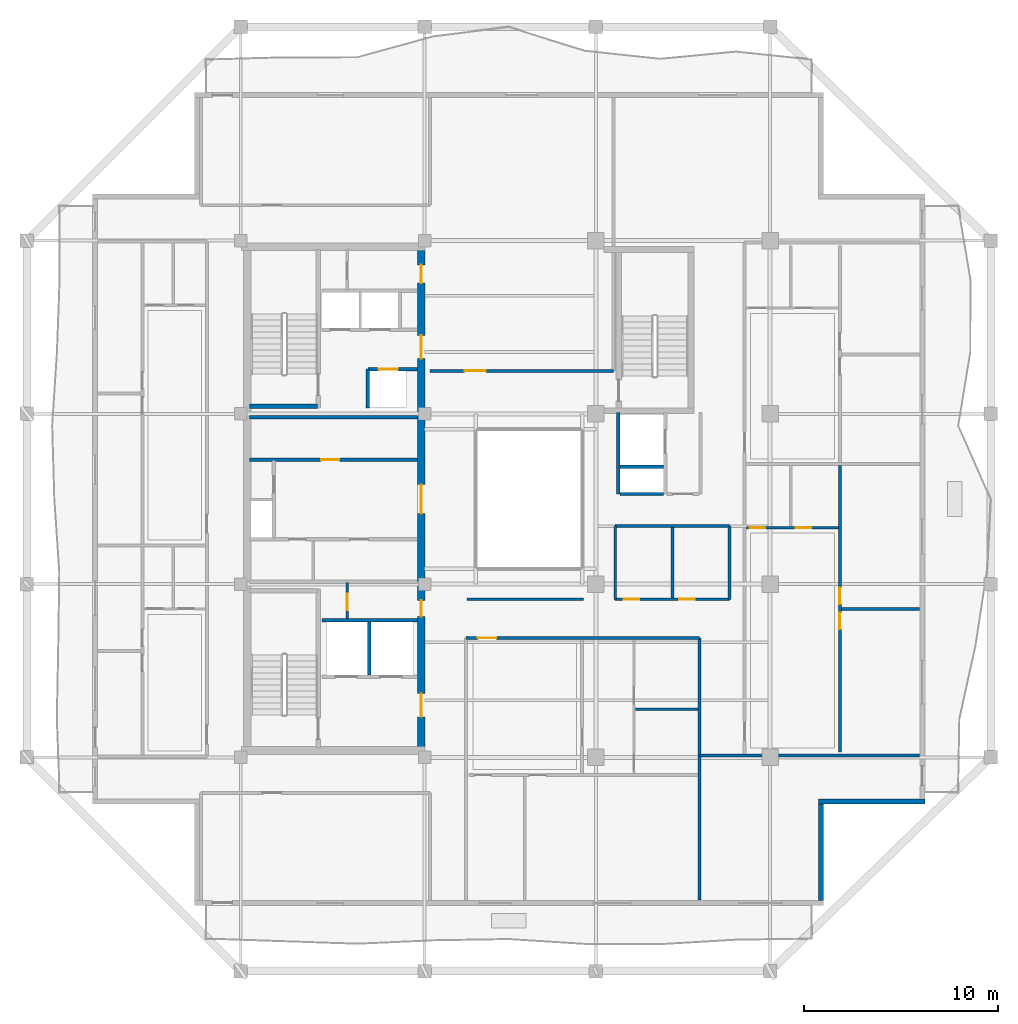
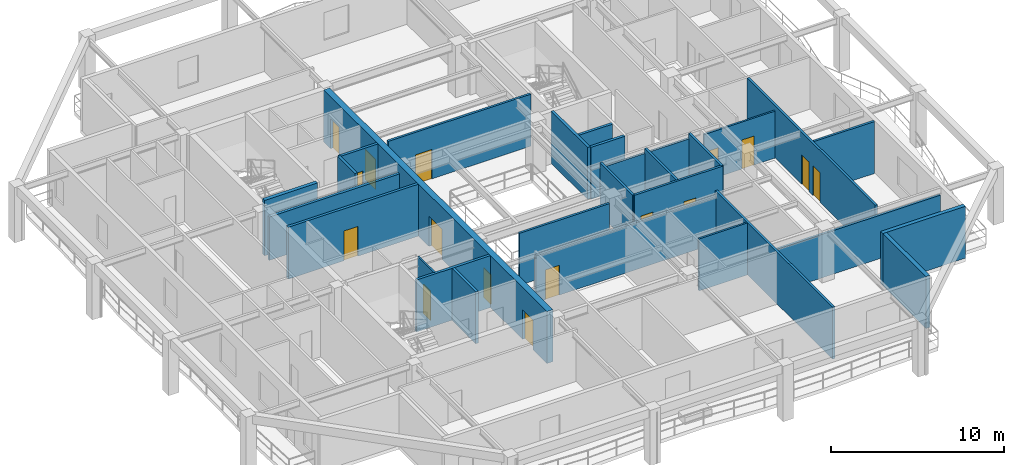
# One storey, part 4 of 12: 28 walls, 16 doors, 16 openings.
"""IFC4 building model written with IfcOpenShell, lengths in metres."""

from ifc_helpers import new_model, si_unit, direction, frame, frame_2d, origin, place, context, subcontext, project, spatial, rectangle, extrude, material, layer, layer_set, type_object, element, fill, save


model = new_model("IFC4")

# Units and contexts
model_context = context("Model", 3, precision=1e-05, world=origin(), true_north=direction((0.0, 1.0)))
body_context = subcontext(model_context, "Body", "Model", "MODEL_VIEW")
ifc_project = project(units=[si_unit("LENGTHUNIT", "METRE"), si_unit("AREAUNIT", "SQUARE_METRE"), si_unit("VOLUMEUNIT", "CUBIC_METRE"), si_unit("PLANEANGLEUNIT", "RADIAN"), si_unit("MASSUNIT", "GRAM", prefix="KILO")], contexts=[model_context])

# Site, building, storey
site_placement = place(None, origin())
site = spatial("IfcSite", under=ifc_project, at=site_placement, CompositionType="ELEMENT")
building_placement = place(site_placement, origin())
building = spatial("IfcBuilding", under=site, at=building_placement, Name="Kundavana Baori Tower", CompositionType="ELEMENT")
storey_placement = place(building_placement, frame((0.0, 0.0, 241.39990234375)))
storey = spatial("IfcBuildingStorey", under=building, at=storey_placement, Name="L59", CompositionType="ELEMENT", Elevation=241.39990234375)

# Wall, openings, doors
ifc_material_1 = material(Name="Concrete C50/60", Category="concrete")
ifc_layer_1 = layer(ifc_material_1, 0.39990234375, Name="WL-CORE-400")
ifc_layer_set_1 = layer_set([ifc_layer_1], Name="Concrete C50/60")
wall_type_1 = type_object("IfcWallType", Name="WL-CORE-400", PredefinedType="SHEAR", material=ifc_layer_set_1)
wall_1_placement = place(storey_placement, frame((24.780029296875, 15.739990234375, 0.0), z_axis=(0.0, 0.0, 1.0), x_axis=(0.0, 1.0, 0.0)))
wall_1 = element("IfcWall", 1, at=wall_1_placement, inside=storey, type_object=wall_type_1, Name="L59 Offset Core East Shear Wall", PredefinedType="SHEAR", context=body_context, shape_type="SweptSolid", body=[
    extrude(rectangle(XDim=25.760009765625, YDim=0.39990234375, at=frame_2d((12.8798828125, 0.0))), origin(), (0.0, 0.0, 1.0), 3.66015625),
])
opening_1_placement = place(wall_1_placement, frame((1.610107421875, 0.0, 0.0)))
opening_1 = element("IfcOpeningElement", 2, at=opening_1_placement, cuts=wall_1, Name="Opening FD-120", PredefinedType="OPENING", context=body_context, shape_type="SweptSolid", body=[
    extrude(rectangle(XDim=1.199951171875, YDim=2.10009765625, at=frame_2d((0.60009765625, 1.050048828125))), frame((0.0, 0.2099609375, 0.0), z_axis=(0.0, -1.0, 0.0), x_axis=(1.0, 0.0, 0.0)), (0.0, 0.0, 1.0), 0.419921875),
])
opening_2_placement = place(wall_1_placement, frame((6.780029296875, 0.0, 0.0)))
opening_2 = element("IfcOpeningElement", 3, at=opening_2_placement, cuts=wall_1, Name="Opening FD-085", PredefinedType="OPENING", context=body_context, shape_type="SweptSolid", body=[
    extrude(rectangle(XDim=0.85009765625, YDim=2.06005859375, at=frame_2d((0.425048828125, 1.030029296875))), frame((0.0, 0.2099609375, 0.0), z_axis=(0.0, -1.0, 0.0), x_axis=(1.0, 0.0, 0.0)), (0.0, 0.0, 1.0), 0.419921875),
])
opening_3_placement = place(wall_1_placement, frame((12.110107421875, 0.0, 0.0)))
opening_3 = element("IfcOpeningElement", 4, at=opening_3_placement, cuts=wall_1, Name="Opening FD-150", PredefinedType="OPENING", context=body_context, shape_type="SweptSolid", body=[
    extrude(rectangle(XDim=1.5, YDim=2.1201171875, at=frame_2d((0.75, 1.06005859375))), frame((0.0, 0.2099609375, 0.0), z_axis=(0.0, -1.0, 0.0), x_axis=(1.0, 0.0, 0.0)), (0.0, 0.0, 1.0), 0.419921875),
])
opening_4_placement = place(wall_1_placement, frame((20.110107421875, 0.0, 0.0)))
opening_4 = element("IfcOpeningElement", 5, at=opening_4_placement, cuts=wall_1, Name="Opening FD-122", PredefinedType="OPENING", context=body_context, shape_type="SweptSolid", body=[
    extrude(rectangle(XDim=1.199951171875, YDim=2.1201171875, at=frame_2d((0.60009765625, 1.06005859375))), frame((0.0, 0.2099609375, 0.0), z_axis=(0.0, -1.0, 0.0), x_axis=(1.0, 0.0, 0.0)), (0.0, 0.0, 1.0), 0.419921875),
])
opening_5_placement = place(wall_1_placement, frame((24.010009765625, 0.0, 0.0)))
opening_5 = element("IfcOpeningElement", 6, at=opening_5_placement, cuts=wall_1, Name="Opening FD-095", PredefinedType="OPENING", context=body_context, shape_type="SweptSolid", body=[
    extrude(rectangle(XDim=0.949951171875, YDim=2.10009765625, at=frame_2d((0.47509765625, 1.050048828125))), frame((0.0, 0.2099609375, 0.0), z_axis=(0.0, -1.0, 0.0), x_axis=(1.0, 0.0, 0.0)), (0.0, 0.0, 1.0), 0.419921875),
])
ifc_material_2 = material(Name="Galvanised Steel Fire-Rated Door Leaf", Category="steel")
door_type_1 = type_object("IfcDoorType", Name="DR-FD120-1200", OperationType="NOTDEFINED", PredefinedType="DOOR", material=ifc_material_2)
door_1_placement = place(opening_1_placement, frame((1.199951171875, 0.0, 0.0), z_axis=(0.0, 0.0, 1.0), x_axis=(-1.0, 0.0, 0.0)))
door_1 = element("IfcDoor", 7, at=door_1_placement, inside=storey, type_object=door_type_1, Name="DR-L59-FFLOB-E", OperationType="SINGLE_SWING_RIGHT", OverallHeight=2.10009765625, OverallWidth=1.199951171875, PredefinedType="DOOR", context=body_context, shape_type="SweptSolid", body=[
    extrude(rectangle(XDim=1.199951171875, YDim=2.10009765625, at=frame_2d((0.60009765625, 1.050048828125))), frame((0.0, 0.02490234375, 0.0), z_axis=(0.0, -1.0, 0.0), x_axis=(1.0, 0.0, 0.0)), (0.0, 0.0, 1.0), 0.050048828125),
])
fill(opening_1, door_1)
ifc_material_3 = material(Name="Galvanised Steel Fire-Rated Door Leaf", Category="steel")
door_type_2 = type_object("IfcDoorType", Name="DR-FD60-1200", OperationType="NOTDEFINED", PredefinedType="DOOR", material=ifc_material_3)
door_2_placement = place(opening_4_placement, frame((1.199951171875, 0.0, 0.0), z_axis=(0.0, 0.0, 1.0), x_axis=(-1.0, 0.0, 0.0)))
door_2 = element("IfcDoor", 8, at=door_2_placement, inside=storey, type_object=door_type_2, Name="DR-L59-HRLOB-E", OperationType="SINGLE_SWING_RIGHT", OverallHeight=2.1201171875, OverallWidth=1.199951171875, PredefinedType="DOOR", context=body_context, shape_type="SweptSolid", body=[
    extrude(rectangle(XDim=1.199951171875, YDim=2.1201171875, at=frame_2d((0.60009765625, 1.06005859375))), frame((0.0, 0.02490234375, 0.0), z_axis=(0.0, -1.0, 0.0), x_axis=(1.0, 0.0, 0.0)), (0.0, 0.0, 1.0), 0.050048828125),
])
fill(opening_4, door_2)
ifc_material_4 = material(Name="Galvanised Steel Fire-Rated Door Leaf", Category="steel")
door_type_3 = type_object("IfcDoorType", Name="DR-FD60-1500", OperationType="NOTDEFINED", PredefinedType="DOOR", material=ifc_material_4)
door_3_placement = place(opening_3_placement, frame((1.5, 0.0, 0.0), z_axis=(0.0, 0.0, 1.0), x_axis=(-1.0, 0.0, 0.0)))
door_3 = element("IfcDoor", 9, at=door_3_placement, inside=storey, type_object=door_type_3, Name="DR-L59-LIFTHALL-E", OperationType="SINGLE_SWING_LEFT", OverallHeight=2.1201171875, OverallWidth=1.5, PredefinedType="DOOR", context=body_context, shape_type="SweptSolid", body=[
    extrude(rectangle(XDim=1.5, YDim=2.1201171875, at=frame_2d((0.75, 1.06005859375))), frame((0.0, 0.02490234375, 0.0), z_axis=(0.0, -1.0, 0.0), x_axis=(1.0, 0.0, 0.0)), (0.0, 0.0, 1.0), 0.050048828125),
])
fill(opening_3, door_3)
ifc_material_5 = material(Name="Galvanised Steel Fire-Rated Door Leaf", Category="steel")
door_type_4 = type_object("IfcDoorType", Name="DR-FD60-850", OperationType="NOTDEFINED", PredefinedType="DOOR", material=ifc_material_5)
door_4_placement = place(opening_2_placement, frame((0.85009765625, 0.0, 0.0), z_axis=(0.0, 0.0, 1.0), x_axis=(-1.0, 0.0, 0.0)))
door_4 = element("IfcDoor", 10, at=door_4_placement, inside=storey, type_object=door_type_4, Name="DR-L59-CSMK2", OperationType="SINGLE_SWING_LEFT", OverallHeight=2.06005859375, OverallWidth=0.85009765625, PredefinedType="DOOR", context=body_context, shape_type="SweptSolid", body=[
    extrude(rectangle(XDim=0.85009765625, YDim=2.06005859375, at=frame_2d((0.425048828125, 1.030029296875))), frame((0.0, 0.02490234375, 0.0), z_axis=(0.0, -1.0, 0.0), x_axis=(1.0, 0.0, 0.0)), (0.0, 0.0, 1.0), 0.050048828125),
])
fill(opening_2, door_4)
ifc_material_6 = material(Name="Engineered Teak Fire-Rated Timber Door Leaf", Category="wood")
door_type_5 = type_object("IfcDoorType", Name="DR-FD60-950", OperationType="NOTDEFINED", PredefinedType="DOOR", material=ifc_material_6)
door_5_placement = place(opening_5_placement, frame((0.949951171875, 0.0, 0.0), z_axis=(0.0, 0.0, 1.0), x_axis=(-1.0, 0.0, 0.0)))
door_5 = element("IfcDoor", 11, at=door_5_placement, inside=storey, type_object=door_type_5, Name="DR-L59-CSRV2", OperationType="SINGLE_SWING_LEFT", OverallHeight=2.10009765625, OverallWidth=0.949951171875, PredefinedType="DOOR", context=body_context, shape_type="SweptSolid", body=[
    extrude(rectangle(XDim=0.949951171875, YDim=2.10009765625, at=frame_2d((0.47509765625, 1.050048828125))), frame((0.0, 0.02490234375, 0.0), z_axis=(0.0, -1.0, 0.0), x_axis=(1.0, 0.0, 0.0)), (0.0, 0.0, 1.0), 0.050048828125),
])
fill(opening_5, door_5)

# Walls
wall_2_placement = place(storey_placement, frame((15.89990234375, 33.389892578125, 0.0), z_axis=(0.0, 0.0, 1.0), x_axis=(1.0, 0.0, 0.0)))
element("IfcWall", 12, at=wall_2_placement, inside=storey, type_object=wall_type_1, Name="WL-L59-ST2-S", PredefinedType="SHEAR", context=body_context, shape_type="SweptSolid", body=[
    extrude(rectangle(XDim=3.52001953125, YDim=0.239990234375, at=frame_2d((1.760009765625, 0.0))), origin(), (0.0, 0.0, 1.0), 3.900146484375),
])
ifc_material_7 = material(Name="Kiln-Fired Terracotta Brick-Slip Masonry on Concrete C40/50", Category="masonry")
ifc_layer_2 = layer(ifc_material_7, 0.260009765625, Name="WL-EXT-BRK-260")
ifc_layer_set_2 = layer_set([ifc_layer_2], Name="Kiln-Fired Terracotta Brick-Slip Masonry on Concrete C40/50")
wall_type_2 = type_object("IfcWallType", Name="WL-EXT-BRK-260", PredefinedType="SOLIDWALL", material=ifc_layer_set_2)
wall_3_placement = place(storey_placement, frame((45.419921875, 7.860107421875, 0.0), z_axis=(0.0, 0.0, 1.0), x_axis=(0.0, 1.0, 0.0)))
element("IfcWall", 13, at=wall_3_placement, inside=storey, type_object=wall_type_2, Name="L59 Exterior Insulated Facade Wall 02", PredefinedType="SOLIDWALL", context=body_context, shape_type="SweptSolid", body=[
    extrude(rectangle(XDim=4.989990234375, YDim=0.260009765625, at=frame_2d((2.4951171875, 0.0))), origin(), (0.0, 0.0, 1.0), 3.66015625),
])
wall_4_placement = place(storey_placement, frame((45.2900390625, 12.97998046875, 0.0), z_axis=(0.0, 0.0, 1.0), x_axis=(1.0, 0.0, 0.0)))
element("IfcWall", 14, at=wall_4_placement, inside=storey, type_object=wall_type_2, Name="L59 Exterior Insulated Facade Wall 03", PredefinedType="SOLIDWALL", context=body_context, shape_type="SweptSolid", body=[
    extrude(rectangle(XDim=5.510009765625, YDim=0.260009765625, at=frame_2d((2.7548828125, 0.0))), origin(), (0.0, 0.0, 1.0), 3.66015625),
])

# Wall, opening, door
ifc_material_8 = material(Name="Acoustic Gypsum Plasterboard on Galvanised Steel Studs", Category="steel")
ifc_layer_3 = layer(ifc_material_8, 0.1201171875, Name="WL-PART-120")
ifc_layer_set_3 = layer_set([ifc_layer_3], Name="Acoustic Gypsum Plasterboard on Galvanised Steel Studs")
wall_type_3 = type_object("IfcWallType", Name="WL-PART-120", PredefinedType="PARTITIONING", material=ifc_layer_set_3)
wall_5_placement = place(storey_placement, frame((20.949951171875, 22.39990234375, 0.0), z_axis=(0.0, 0.0, 1.0), x_axis=(0.0, 1.0, 0.0)))
wall_5 = element("IfcWall", 15, at=wall_5_placement, inside=storey, type_object=wall_type_3, Name="WL-L59-CSMK-D2", PredefinedType="PARTITIONING", context=body_context, shape_type="SweptSolid", body=[
    extrude(rectangle(XDim=1.880126953125, YDim=0.1201171875, at=frame_2d((0.93994140625, 0.0))), origin(), (0.0, 0.0, 1.0), 3.66015625),
])
opening_6_placement = place(wall_5_placement, frame((0.449951171875, 0.0, 0.0)))
opening_6 = element("IfcOpeningElement", 16, at=opening_6_placement, cuts=wall_5, Name="Opening FD-085", PredefinedType="OPENING", context=body_context, shape_type="SweptSolid", body=[
    extrude(rectangle(XDim=0.85009765625, YDim=2.06005859375, at=frame_2d((0.425048828125, 1.030029296875))), frame((0.0, 0.070068359375, 0.0), z_axis=(0.0, -1.0, 0.0), x_axis=(1.0, 0.0, 0.0)), (0.0, 0.0, 1.0), 0.14013671875),
])
door_6_placement = place(opening_6_placement, origin())
door_6 = element("IfcDoor", 17, at=door_6_placement, inside=storey, type_object=door_type_4, Name="DR-L59-CSMK1", OperationType="SINGLE_SWING_RIGHT", OverallHeight=2.06005859375, OverallWidth=0.85009765625, PredefinedType="DOOR", context=body_context, shape_type="SweptSolid", body=[
    extrude(rectangle(XDim=0.85009765625, YDim=2.06005859375, at=frame_2d((0.425048828125, 1.030029296875))), frame((0.0, 0.02490234375, 0.0), z_axis=(0.0, -1.0, 0.0), x_axis=(1.0, 0.0, 0.0)), (0.0, 0.0, 1.0), 0.050048828125),
])
fill(opening_6, door_6)

ifc_material_9 = material(Name="Fire-Rated Gypsum Drywall on Galvanised Steel Studs", Category="steel")
ifc_layer_4 = layer(ifc_material_9, 0.14990234375, Name="WL-PART-150")
ifc_layer_set_4 = layer_set([ifc_layer_4], Name="Fire-Rated Gypsum Drywall on Galvanised Steel Studs")
wall_type_4 = type_object("IfcWallType", Name="WL-PART-150", PredefinedType="PARTITIONING", material=ifc_layer_set_4)
wall_6_placement = place(storey_placement, frame((27.080078125, 21.419921875, 0.0), z_axis=(0.0, 0.0, 1.0), x_axis=(1.0, 0.0, 0.0)))
wall_6 = element("IfcWall", 18, at=wall_6_placement, inside=storey, type_object=wall_type_4, Name="WL-L59-RS", PredefinedType="PARTITIONING", context=body_context, shape_type="SweptSolid", body=[
    extrude(rectangle(XDim=12.06982421875, YDim=0.14990234375, at=frame_2d((6.034912109375, 0.0))), origin(), (0.0, 0.0, 1.0), 3.31005859375),
])
opening_7_placement = place(wall_6_placement, frame((0.6298828125, 0.0, 0.0)))
opening_7 = element("IfcOpeningElement", 19, at=opening_7_placement, cuts=wall_6, Name="Opening FD-095", PredefinedType="OPENING", context=body_context, shape_type="SweptSolid", body=[
    extrude(rectangle(XDim=0.949951171875, YDim=2.10009765625, at=frame_2d((0.47509765625, 1.050048828125))), frame((0.0, 0.0849609375, 0.0), z_axis=(0.0, -1.0, 0.0), x_axis=(1.0, 0.0, 0.0)), (0.0, 0.0, 1.0), 0.169921875),
])
door_7_placement = place(opening_7_placement, frame((0.949951171875, 0.0, 0.0), z_axis=(0.0, 0.0, 1.0), x_axis=(-1.0, 0.0, 0.0)))
door_7 = element("IfcDoor", 20, at=door_7_placement, inside=storey, type_object=door_type_5, Name="DR-L59-S1-ENT", OperationType="SINGLE_SWING_RIGHT", OverallHeight=2.10009765625, OverallWidth=0.949951171875, PredefinedType="DOOR", context=body_context, shape_type="SweptSolid", body=[
    extrude(rectangle(XDim=0.949951171875, YDim=2.10009765625, at=frame_2d((0.47509765625, 1.050048828125))), frame((0.0, 0.02490234375, 0.0), z_axis=(0.0, -1.0, 0.0), x_axis=(1.0, 0.0, 0.0)), (0.0, 0.0, 1.0), 0.050048828125),
])
fill(opening_7, door_7)

# Wall
wall_7_placement = place(storey_placement, frame((27.14990234375, 23.419921875, 0.0), z_axis=(0.0, 0.0, 1.0), x_axis=(1.0, 0.0, 0.0)))
element("IfcWall", 21, at=wall_7_placement, inside=storey, type_object=wall_type_4, Name="WL-L59-RST", PredefinedType="PARTITIONING", context=body_context, shape_type="SweptSolid", body=[
    extrude(rectangle(XDim=6.0, YDim=0.14990234375, at=frame_2d((3.0, 0.0))), origin(), (0.0, 0.0, 1.0), 3.66015625),
])

# Wall, opening, door
wall_8_placement = place(storey_placement, frame((25.219970703125, 35.219970703125, 0.0), z_axis=(0.0, 0.0, 1.0), x_axis=(1.0, 0.0, 0.0)))
wall_8 = element("IfcWall", 22, at=wall_8_placement, inside=storey, type_object=wall_type_4, Name="WL-L59-RN", PredefinedType="PARTITIONING", context=body_context, shape_type="SweptSolid", body=[
    extrude(rectangle(XDim=9.5, YDim=0.14990234375, at=frame_2d((4.75, 0.0))), origin(), (0.0, 0.0, 1.0), 3.66015625),
])
opening_8_placement = place(wall_8_placement, frame((1.800048828125, 0.0, 0.0)))
opening_8 = element("IfcOpeningElement", 23, at=opening_8_placement, cuts=wall_8, Name="Opening ID-110", PredefinedType="OPENING", context=body_context, shape_type="SweptSolid", body=[
    extrude(rectangle(XDim=1.10009765625, YDim=2.080078125, at=frame_2d((0.550048828125, 1.0400390625))), frame((0.0, 0.0849609375, 0.0), z_axis=(0.0, -1.0, 0.0), x_axis=(1.0, 0.0, 0.0)), (0.0, 0.0, 1.0), 0.169921875),
])
ifc_material_10 = material(Name="Engineered Teak Solid-Core Timber Veneer", Category="wood")
door_type_6 = type_object("IfcDoorType", Name="DR-INT-1100", OperationType="NOTDEFINED", PredefinedType="DOOR", material=ifc_material_10)
door_8_placement = place(opening_8_placement, origin())
door_8 = element("IfcDoor", 24, at=door_8_placement, inside=storey, type_object=door_type_6, Name="DR-L59-RLNGN", OperationType="SINGLE_SWING_RIGHT", OverallHeight=2.080078125, OverallWidth=1.10009765625, PredefinedType="DOOR", context=body_context, shape_type="SweptSolid", body=[
    extrude(rectangle(XDim=1.10009765625, YDim=2.080078125, at=frame_2d((0.550048828125, 1.0400390625))), frame((0.0, 0.02490234375, 0.0), z_axis=(0.0, -1.0, 0.0), x_axis=(1.0, 0.0, 0.0)), (0.0, 0.0, 1.0), 0.050048828125),
])
fill(opening_8, door_8)

# Walls
wall_9_placement = place(storey_placement, frame((39.14990234375, 7.8798828125, 0.0), z_axis=(0.0, 0.0, 1.0), x_axis=(0.0, 1.0, 0.0)))
element("IfcWall", 25, at=wall_9_placement, inside=storey, type_object=wall_type_4, Name="WL-L59-RSEND", PredefinedType="PARTITIONING", context=body_context, shape_type="SweptSolid", body=[
    extrude(rectangle(XDim=13.5400390625, YDim=0.14990234375, at=frame_2d((6.77001953125, 0.0))), origin(), (0.0, 0.0, 1.0), 3.66015625),
])
wall_10_placement = place(storey_placement, frame((39.14990234375, 15.35009765625, 0.0), z_axis=(0.0, 0.0, 1.0), x_axis=(1.0, 0.0, 0.0)))
element("IfcWall", 26, at=wall_10_placement, inside=storey, type_object=wall_type_4, Name="WL-L59-RES", PredefinedType="PARTITIONING", context=body_context, shape_type="SweptSolid", body=[
    extrude(rectangle(XDim=11.3701171875, YDim=0.14990234375, at=frame_2d((5.68505859375, 0.0))), origin(), (0.0, 0.0, 1.0), 3.06005859375),
])

# Wall, openings, doors
wall_11_placement = place(storey_placement, frame((46.407958984375, 15.530029296875, 0.0), z_axis=(0.0, 0.0, 1.0), x_axis=(0.0, 1.0, 0.0)))
wall_11 = element("IfcWall", 27, at=wall_11_placement, inside=storey, type_object=wall_type_4, Name="WL-L59-E1-VT", PredefinedType="PARTITIONING", context=body_context, shape_type="SweptSolid", body=[
    extrude(rectangle(XDim=14.7900390625, YDim=0.14990234375, at=frame_2d((7.39501953125, 0.0))), origin(), (0.0, 0.0, 1.0), 3.66015625),
])
opening_9_placement = place(wall_11_placement, frame((6.344970703125, 0.0, 0.0)))
opening_9 = element("IfcOpeningElement", 28, at=opening_9_placement, cuts=wall_11, Name="Opening ID-085", PredefinedType="OPENING", context=body_context, shape_type="SweptSolid", body=[
    extrude(rectangle(XDim=0.85009765625, YDim=2.080078125, at=frame_2d((0.425048828125, 1.0400390625))), frame((0.0, 0.0849609375, 0.0), z_axis=(0.0, -1.0, 0.0), x_axis=(1.0, 0.0, 0.0)), (0.0, 0.0, 1.0), 0.169921875),
])
opening_10_placement = place(wall_11_placement, frame((7.64501953125, 0.0, 0.0)))
opening_10 = element("IfcOpeningElement", 29, at=opening_10_placement, cuts=wall_11, Name="Opening ID-085", PredefinedType="OPENING", context=body_context, shape_type="SweptSolid", body=[
    extrude(rectangle(XDim=0.85009765625, YDim=2.080078125, at=frame_2d((0.425048828125, 1.0400390625))), frame((0.0, 0.0849609375, 0.0), z_axis=(0.0, -1.0, 0.0), x_axis=(1.0, 0.0, 0.0)), (0.0, 0.0, 1.0), 0.169921875),
])
ifc_material_11 = material(Name="Engineered Teak Solid-Core Timber Veneer", Category="wood")
door_type_7 = type_object("IfcDoorType", Name="DR-INT-850", OperationType="NOTDEFINED", PredefinedType="DOOR", material=ifc_material_11)
door_9_placement = place(opening_9_placement, origin())
door_9 = element("IfcDoor", 30, at=door_9_placement, inside=storey, type_object=door_type_7, Name="DR-L59-E1-B1", OperationType="SINGLE_SWING_LEFT", OverallHeight=2.080078125, OverallWidth=0.85009765625, PredefinedType="DOOR", context=body_context, shape_type="SweptSolid", body=[
    extrude(rectangle(XDim=0.85009765625, YDim=2.080078125, at=frame_2d((0.425048828125, 1.0400390625))), frame((0.0, 0.02490234375, 0.0), z_axis=(0.0, -1.0, 0.0), x_axis=(1.0, 0.0, 0.0)), (0.0, 0.0, 1.0), 0.050048828125),
])
fill(opening_9, door_9)
door_10_placement = place(opening_10_placement, origin())
door_10 = element("IfcDoor", 31, at=door_10_placement, inside=storey, type_object=door_type_7, Name="DR-L59-E1-B2", OperationType="SINGLE_SWING_RIGHT", OverallHeight=2.080078125, OverallWidth=0.85009765625, PredefinedType="DOOR", context=body_context, shape_type="SweptSolid", body=[
    extrude(rectangle(XDim=0.85009765625, YDim=2.080078125, at=frame_2d((0.425048828125, 1.0400390625))), frame((0.0, 0.02490234375, 0.0), z_axis=(0.0, -1.0, 0.0), x_axis=(1.0, 0.0, 0.0)), (0.0, 0.0, 1.0), 0.050048828125),
])
fill(opening_10, door_10)

# Wall
wall_12_placement = place(storey_placement, frame((46.488037109375, 22.925048828125, 0.0), z_axis=(0.0, 0.0, 1.0), x_axis=(1.0, 0.0, 0.0)))
element("IfcWall", 32, at=wall_12_placement, inside=storey, type_object=wall_type_4, Name="WL-L59-E1-BDH", PredefinedType="PARTITIONING", context=body_context, shape_type="SweptSolid", body=[
    extrude(rectangle(XDim=4.031982421875, YDim=0.14990234375, at=frame_2d((2.01611328125, 0.0))), origin(), (0.0, 0.0, 1.0), 3.66015625),
])

# Wall, openings, doors
wall_13_placement = place(storey_placement, frame((34.800048828125, 23.419921875, 0.0), z_axis=(0.0, 0.0, 1.0), x_axis=(1.0, 0.0, 0.0)))
wall_13 = element("IfcWall", 33, at=wall_13_placement, inside=storey, type_object=wall_type_4, Name="WL-L59-ALS", PredefinedType="PARTITIONING", context=body_context, shape_type="SweptSolid", body=[
    extrude(rectangle(XDim=5.89990234375, YDim=0.14990234375, at=frame_2d((2.949951171875, 0.0))), origin(), (0.0, 0.0, 1.0), 3.66015625),
])
opening_11_placement = place(wall_13_placement, frame((0.429931640625, 0.0, 0.0)))
opening_11 = element("IfcOpeningElement", 34, at=opening_11_placement, cuts=wall_13, Name="Opening WD-080", PredefinedType="OPENING", context=body_context, shape_type="SweptSolid", body=[
    extrude(rectangle(XDim=0.800048828125, YDim=2.050048828125, at=frame_2d((0.39990234375, 1.02490234375))), frame((0.0, 0.0849609375, 0.0), z_axis=(0.0, -1.0, 0.0), x_axis=(1.0, 0.0, 0.0)), (0.0, 0.0, 1.0), 0.169921875),
])
opening_12_placement = place(wall_13_placement, frame((3.300048828125, 0.0, 0.0)))
opening_12 = element("IfcOpeningElement", 35, at=opening_12_placement, cuts=wall_13, Name="Opening WD-080", PredefinedType="OPENING", context=body_context, shape_type="SweptSolid", body=[
    extrude(rectangle(XDim=0.800048828125, YDim=2.050048828125, at=frame_2d((0.39990234375, 1.02490234375))), frame((0.0, 0.0849609375, 0.0), z_axis=(0.0, -1.0, 0.0), x_axis=(1.0, 0.0, 0.0)), (0.0, 0.0, 1.0), 0.169921875),
])
ifc_material_12 = material(Name="Engineered Teak Solid-Core Timber Veneer", Category="wood")
door_type_8 = type_object("IfcDoorType", Name="DR-WET-800", OperationType="NOTDEFINED", PredefinedType="DOOR", material=ifc_material_12)
door_11_placement = place(opening_11_placement, origin())
door_11 = element("IfcDoor", 36, at=door_11_placement, inside=storey, type_object=door_type_8, Name="DR-L59-RALC1", OperationType="SINGLE_SWING_LEFT", OverallHeight=2.050048828125, OverallWidth=0.800048828125, PredefinedType="DOOR", context=body_context, shape_type="SweptSolid", body=[
    extrude(rectangle(XDim=0.800048828125, YDim=2.050048828125, at=frame_2d((0.39990234375, 1.02490234375))), frame((0.0, 0.02490234375, 0.0), z_axis=(0.0, -1.0, 0.0), x_axis=(1.0, 0.0, 0.0)), (0.0, 0.0, 1.0), 0.050048828125),
])
fill(opening_11, door_11)
door_12_placement = place(opening_12_placement, origin())
door_12 = element("IfcDoor", 37, at=door_12_placement, inside=storey, type_object=door_type_8, Name="DR-L59-RALC2", OperationType="SINGLE_SWING_LEFT", OverallHeight=2.050048828125, OverallWidth=0.800048828125, PredefinedType="DOOR", context=body_context, shape_type="SweptSolid", body=[
    extrude(rectangle(XDim=0.800048828125, YDim=2.050048828125, at=frame_2d((0.39990234375, 1.02490234375))), frame((0.0, 0.02490234375, 0.0), z_axis=(0.0, -1.0, 0.0), x_axis=(1.0, 0.0, 0.0)), (0.0, 0.0, 1.0), 0.050048828125),
])
fill(opening_12, door_12)

# Walls
wall_14_placement = place(storey_placement, frame((34.800048828125, 27.199951171875, 0.0), z_axis=(0.0, 0.0, 1.0), x_axis=(1.0, 0.0, 0.0)))
element("IfcWall", 38, at=wall_14_placement, inside=storey, type_object=wall_type_4, Name="WL-L59-ALN", PredefinedType="PARTITIONING", context=body_context, shape_type="SweptSolid", body=[
    extrude(rectangle(XDim=5.89990234375, YDim=0.14990234375, at=frame_2d((2.949951171875, 0.0))), origin(), (0.0, 0.0, 1.0), 3.31005859375),
])
for number, where, z_axis, x_axis, name in (
    (39, (34.800048828125, 23.419921875, 0.0), (0.0, 0.0, 1.0), (0.0, 1.0, 0.0), "WL-L59-ALW"),
    (40, (40.699951171875, 23.419921875, 0.0), (0.0, 0.0, 1.0), (0.0, 1.0, 0.0), "WL-L59-ALE"),
):
    element("IfcWall", number, at=place(storey_placement, frame(where, z_axis=z_axis, x_axis=x_axis)), inside=storey, type_object=wall_type_4, Name=name, PredefinedType="PARTITIONING", context=body_context, shape_type="SweptSolid", body=[
        extrude(rectangle(XDim=3.780029296875, YDim=0.14990234375, at=frame_2d((1.89013671875, 0.0))), origin(), (0.0, 0.0, 1.0), 3.66015625),
    ])
wall_15_placement = place(storey_placement, frame((37.75, 23.47998046875, 0.0), z_axis=(0.0, 0.0, 1.0), x_axis=(0.0, 1.0, 0.0)))
element("IfcWall", 41, at=wall_15_placement, inside=storey, type_object=wall_type_4, Name="WL-L59-ALD1", PredefinedType="PARTITIONING", context=body_context, shape_type="SweptSolid", body=[
    extrude(rectangle(XDim=3.659912109375, YDim=0.14990234375, at=frame_2d((1.830078125, 0.0))), origin(), (0.0, 0.0, 1.0), 3.66015625),
])
ifc_material_13 = material(Name="Autoclaved Aerated Concrete Blockwork Masonry", Category="masonry")
ifc_layer_5 = layer(ifc_material_13, 0.179931640625, Name="WL-SHAFT-180")
ifc_layer_set_5 = layer_set([ifc_layer_5], Name="Autoclaved Aerated Concrete Blockwork Masonry")
wall_type_5 = type_object("IfcWallType", Name="WL-SHAFT-180", PredefinedType="SOLIDWALL", material=ifc_layer_set_5)
wall_16_placement = place(storey_placement, frame((22.10009765625, 19.510009765625, 0.0), z_axis=(0.0, 0.0, 1.0), x_axis=(0.0, 1.0, 0.0)))
element("IfcWall", 42, at=wall_16_placement, inside=storey, type_object=wall_type_5, Name="WL-L59-FFL-MID", PredefinedType="SOLIDWALL", context=body_context, shape_type="SweptSolid", body=[
    extrude(rectangle(XDim=2.739990234375, YDim=0.179931640625, at=frame_2d((1.3701171875, 0.0))), origin(), (0.0, 0.0, 1.0), 3.66015625),
])
wall_17_placement = place(storey_placement, frame((19.639892578125, 22.340087890625, 0.0), z_axis=(0.0, 0.0, 1.0), x_axis=(1.0, 0.0, 0.0)))
element("IfcWall", 43, at=wall_17_placement, inside=storey, type_object=wall_type_5, Name="WL-L59-FFL-N", PredefinedType="SOLIDWALL", context=body_context, shape_type="SweptSolid", body=[
    extrude(rectangle(XDim=4.940185546875, YDim=0.179931640625, at=frame_2d((2.47021484375, 0.0))), origin(), (0.0, 0.0, 1.0), 3.66015625),
])

# Wall, opening, door
wall_18_placement = place(storey_placement, frame((15.89990234375, 30.639892578125, 0.0), z_axis=(0.0, 0.0, 1.0), x_axis=(1.0, 0.0, 0.0)))
wall_18 = element("IfcWall", 44, at=wall_18_placement, inside=storey, type_object=wall_type_5, Name="WL-L59-LPMID-S", PredefinedType="SOLIDWALL", context=body_context, shape_type="SweptSolid", body=[
    extrude(rectangle(XDim=8.68017578125, YDim=0.179931640625, at=frame_2d((4.340087890625, 0.0))), origin(), (0.0, 0.0, 1.0), 3.66015625),
])
opening_13_placement = place(wall_18_placement, frame((3.699951171875, 0.0, 0.0)))
opening_13 = element("IfcOpeningElement", 45, at=opening_13_placement, cuts=wall_18, Name="Opening FD-095", PredefinedType="OPENING", context=body_context, shape_type="SweptSolid", body=[
    extrude(rectangle(XDim=0.949951171875, YDim=2.10009765625, at=frame_2d((0.47509765625, 1.050048828125))), frame((0.0, 0.10009765625, 0.0), z_axis=(0.0, -1.0, 0.0), x_axis=(1.0, 0.0, 0.0)), (0.0, 0.0, 1.0), 0.199951171875),
])
door_13_placement = place(opening_13_placement, frame((0.949951171875, 0.0, 0.0), z_axis=(0.0, 0.0, 1.0), x_axis=(-1.0, 0.0, 0.0)))
door_13 = element("IfcDoor", 46, at=door_13_placement, inside=storey, type_object=door_type_5, Name="DR-L59-FRMID1", OperationType="SINGLE_SWING_RIGHT", OverallHeight=2.10009765625, OverallWidth=0.949951171875, PredefinedType="DOOR", context=body_context, shape_type="SweptSolid", body=[
    extrude(rectangle(XDim=0.949951171875, YDim=2.10009765625, at=frame_2d((0.47509765625, 1.050048828125))), frame((0.0, 0.02490234375, 0.0), z_axis=(0.0, -1.0, 0.0), x_axis=(1.0, 0.0, 0.0)), (0.0, 0.0, 1.0), 0.050048828125),
])
fill(opening_13, door_13)

# Wall
wall_19_placement = place(storey_placement, frame((15.89990234375, 32.820068359375, 0.0), z_axis=(0.0, 0.0, 1.0), x_axis=(1.0, 0.0, 0.0)))
element("IfcWall", 47, at=wall_19_placement, inside=storey, type_object=wall_type_5, Name="WL-L59-LPMID-N", PredefinedType="SOLIDWALL", context=body_context, shape_type="SweptSolid", body=[
    extrude(rectangle(XDim=8.68017578125, YDim=0.179931640625, at=frame_2d((4.340087890625, 0.0))), origin(), (0.0, 0.0, 1.0), 3.06005859375),
])

# Wall, opening, door
wall_20_placement = place(storey_placement, frame((22.02001953125, 35.31005859375, 0.0), z_axis=(0.0, 0.0, 1.0), x_axis=(1.0, 0.0, 0.0)))
wall_20 = element("IfcWall", 48, at=wall_20_placement, inside=storey, type_object=wall_type_5, Name="WL-L59-LP11-N", PredefinedType="SOLIDWALL", context=body_context, shape_type="SweptSolid", body=[
    extrude(rectangle(XDim=2.56005859375, YDim=0.179931640625, at=frame_2d((1.280029296875, 0.0))), origin(), (0.0, 0.0, 1.0), 3.66015625),
])
opening_14_placement = place(wall_20_placement, frame((0.550048828125, 0.0, 0.0)))
opening_14 = element("IfcOpeningElement", 49, at=opening_14_placement, cuts=wall_20, Name="Opening LD-100", PredefinedType="OPENING", context=body_context, shape_type="SweptSolid", body=[
    extrude(rectangle(XDim=1.0, YDim=2.10009765625, at=frame_2d((0.5, 1.050048828125))), frame((0.0, 0.10009765625, 0.0), z_axis=(0.0, -1.0, 0.0), x_axis=(1.0, 0.0, 0.0)), (0.0, 0.0, 1.0), 0.199951171875),
])
ifc_material_14 = material(Name="Galvanised Steel Fire-Rated Door Leaf", Category="steel")
door_type_9 = type_object("IfcDoorType", Name="DR-SLIDE-LD1000", OperationType="NOTDEFINED", PredefinedType="DOOR", material=ifc_material_14)
door_14_placement = place(opening_14_placement, origin())
door_14 = element("IfcDoor", 50, at=door_14_placement, inside=storey, type_object=door_type_9, Name="DR-L59-LD-LP11", OperationType="DOUBLE_DOOR_SLIDING", OverallHeight=2.10009765625, OverallWidth=1.0, PredefinedType="DOOR", context=body_context, shape_type="SweptSolid", body=[
    extrude(rectangle(XDim=1.0, YDim=2.10009765625, at=frame_2d((0.5, 1.050048828125))), frame((0.0, 0.02490234375, 0.0), z_axis=(0.0, -1.0, 0.0), x_axis=(1.0, 0.0, 0.0)), (0.0, 0.0, 1.0), 0.050048828125),
])
fill(opening_14, door_14)

# Walls
wall_21_placement = place(storey_placement, frame((22.02001953125, 33.300048828125, 0.0), z_axis=(0.0, 0.0, 1.0), x_axis=(0.0, 1.0, 0.0)))
element("IfcWall", 51, at=wall_21_placement, inside=storey, type_object=wall_type_5, Name="WL-L59-LP11-W", PredefinedType="SOLIDWALL", context=body_context, shape_type="SweptSolid", body=[
    extrude(rectangle(XDim=2.010009765625, YDim=0.179931640625, at=frame_2d((1.0048828125, 0.0))), origin(), (0.0, 0.0, 1.0), 3.66015625),
])
wall_22_placement = place(storey_placement, frame((34.9599609375, 28.860107421875, 0.0), z_axis=(0.0, 0.0, 1.0), x_axis=(0.0, 1.0, 0.0)))
element("IfcWall", 52, at=wall_22_placement, inside=storey, type_object=wall_type_5, Name="WL-L59-SVL-W", PredefinedType="SOLIDWALL", context=body_context, shape_type="SweptSolid", body=[
    extrude(rectangle(XDim=4.219970703125, YDim=0.179931640625, at=frame_2d((2.10986328125, 0.0))), origin(), (0.0, 0.0, 1.0), 3.66015625),
])
for number, where, z_axis, x_axis, name in (
    (53, (35.050048828125, 28.860107421875, 0.0), (0.0, 0.0, 1.0), (1.0, 0.0, 0.0), "WL-L59-SVL-S"),
    (54, (35.050048828125, 30.27001953125, 0.0), (0.0, 0.0, 1.0), (1.0, 0.0, 0.0), "WL-L59-SVL-M"),
):
    element("IfcWall", number, at=place(storey_placement, frame(where, z_axis=z_axis, x_axis=x_axis)), inside=storey, type_object=wall_type_5, Name=name, PredefinedType="SOLIDWALL", context=body_context, shape_type="SweptSolid", body=[
        extrude(rectangle(XDim=2.25, YDim=0.179931640625, at=frame_2d((1.125, 0.0))), origin(), (0.0, 0.0, 1.0), 3.66015625),
    ])
ifc_material_15 = material(Name="Autoclaved Aerated Concrete Blockwork Masonry", Category="masonry")
ifc_layer_6 = layer(ifc_material_15, 0.125, Name="WL-WET-120")
ifc_layer_set_6 = layer_set([ifc_layer_6], Name="Autoclaved Aerated Concrete Blockwork Masonry")
wall_type_6 = type_object("IfcWallType", Name="WL-WET-120", PredefinedType="PLUMBINGWALL", material=ifc_layer_set_6)
wall_23_placement = place(storey_placement, frame((35.85009765625, 17.741943359375, 0.0), z_axis=(0.0, 0.0, 1.0), x_axis=(1.0, 0.0, 0.0)))
element("IfcWall", 55, at=wall_23_placement, inside=storey, type_object=wall_type_6, Name="WL-L59-S1-BT", PredefinedType="PLUMBINGWALL", context=body_context, shape_type="SweptSolid", body=[
    extrude(rectangle(XDim=3.219970703125, YDim=0.125, at=frame_2d((1.60986328125, 0.0))), origin(), (0.0, 0.0, 1.0), 3.66015625),
])

# Wall, openings, doors
wall_24_placement = place(storey_placement, frame((41.580078125, 27.1201171875, 0.0), z_axis=(0.0, 0.0, 1.0), x_axis=(1.0, 0.0, 0.0)))
wall_24 = element("IfcWall", 56, at=wall_24_placement, inside=storey, type_object=wall_type_6, Name="WL-L59-E1-KH", PredefinedType="PLUMBINGWALL", context=body_context, shape_type="SweptSolid", body=[
    extrude(rectangle(XDim=4.747802734375, YDim=0.125, at=frame_2d((2.3740234375, 0.0))), origin(), (0.0, 0.0, 1.0), 3.31005859375),
])
opening_15_placement = place(wall_24_placement, frame((0.159912109375, 0.0, 0.0)))
opening_15 = element("IfcOpeningElement", 57, at=opening_15_placement, cuts=wall_24, Name="Opening WD-080", PredefinedType="OPENING", context=body_context, shape_type="SweptSolid", body=[
    extrude(rectangle(XDim=0.800048828125, YDim=2.050048828125, at=frame_2d((0.39990234375, 1.02490234375))), frame((0.0, 0.072509765625, 0.0), z_axis=(0.0, -1.0, 0.0), x_axis=(1.0, 0.0, 0.0)), (0.0, 0.0, 1.0), 0.14501953125),
])
opening_16_placement = place(wall_24_placement, frame((2.5390625, 0.0, 0.0)))
opening_16 = element("IfcOpeningElement", 58, at=opening_16_placement, cuts=wall_24, Name="Opening WD-080", PredefinedType="OPENING", context=body_context, shape_type="SweptSolid", body=[
    extrude(rectangle(XDim=0.800048828125, YDim=2.050048828125, at=frame_2d((0.39990234375, 1.02490234375))), frame((0.0, 0.072509765625, 0.0), z_axis=(0.0, -1.0, 0.0), x_axis=(1.0, 0.0, 0.0)), (0.0, 0.0, 1.0), 0.14501953125),
])
door_15_placement = place(opening_15_placement, origin())
door_15 = element("IfcDoor", 59, at=door_15_placement, inside=storey, type_object=door_type_8, Name="DR-L59-E1-BT", OperationType="SINGLE_SWING_LEFT", OverallHeight=2.050048828125, OverallWidth=0.800048828125, PredefinedType="DOOR", context=body_context, shape_type="SweptSolid", body=[
    extrude(rectangle(XDim=0.800048828125, YDim=2.050048828125, at=frame_2d((0.39990234375, 1.02490234375))), frame((0.0, 0.02490234375, 0.0), z_axis=(0.0, -1.0, 0.0), x_axis=(1.0, 0.0, 0.0)), (0.0, 0.0, 1.0), 0.050048828125),
])
fill(opening_15, door_15)
door_16_placement = place(opening_16_placement, origin())
door_16 = element("IfcDoor", 60, at=door_16_placement, inside=storey, type_object=door_type_8, Name="DR-L59-E1-KT", OperationType="SINGLE_SWING_RIGHT", OverallHeight=2.050048828125, OverallWidth=0.800048828125, PredefinedType="DOOR", context=body_context, shape_type="SweptSolid", body=[
    extrude(rectangle(XDim=0.800048828125, YDim=2.050048828125, at=frame_2d((0.39990234375, 1.02490234375))), frame((0.0, 0.02490234375, 0.0), z_axis=(0.0, -1.0, 0.0), x_axis=(1.0, 0.0, 0.0)), (0.0, 0.0, 1.0), 0.050048828125),
])
fill(opening_16, door_16)

save(model, "model.ifc")
